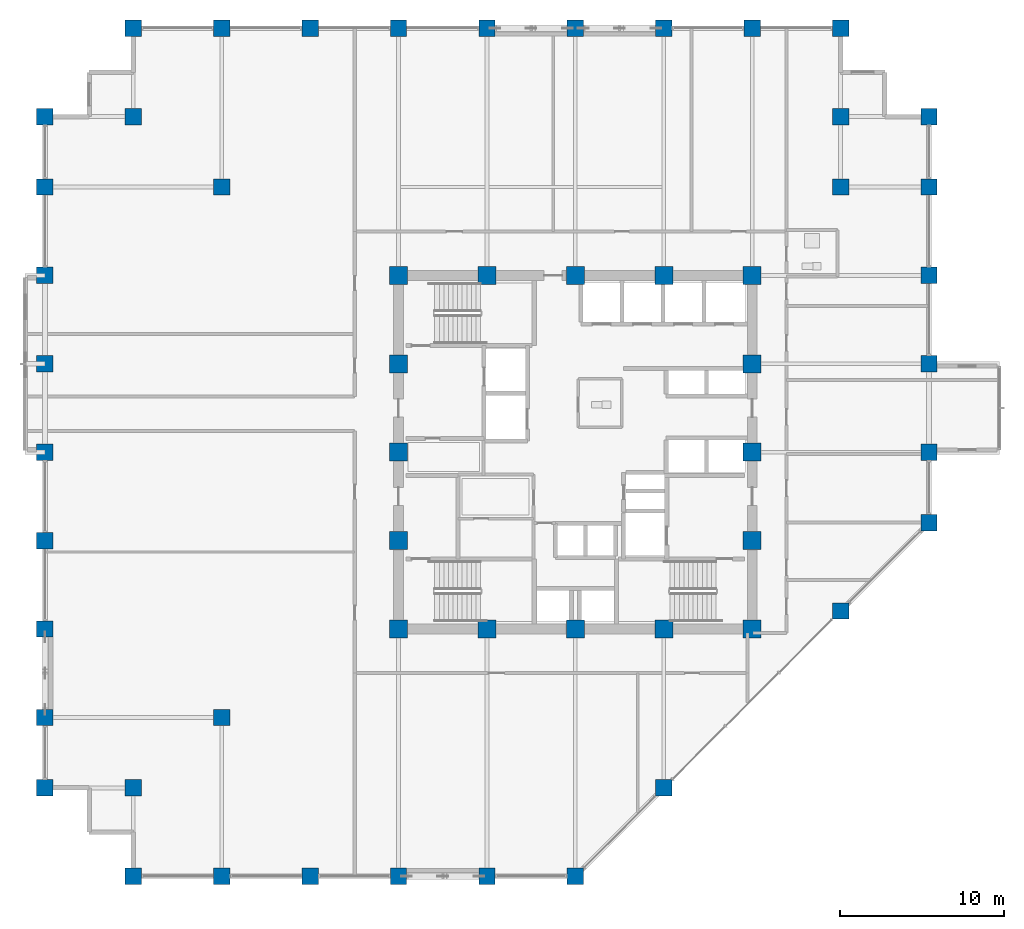
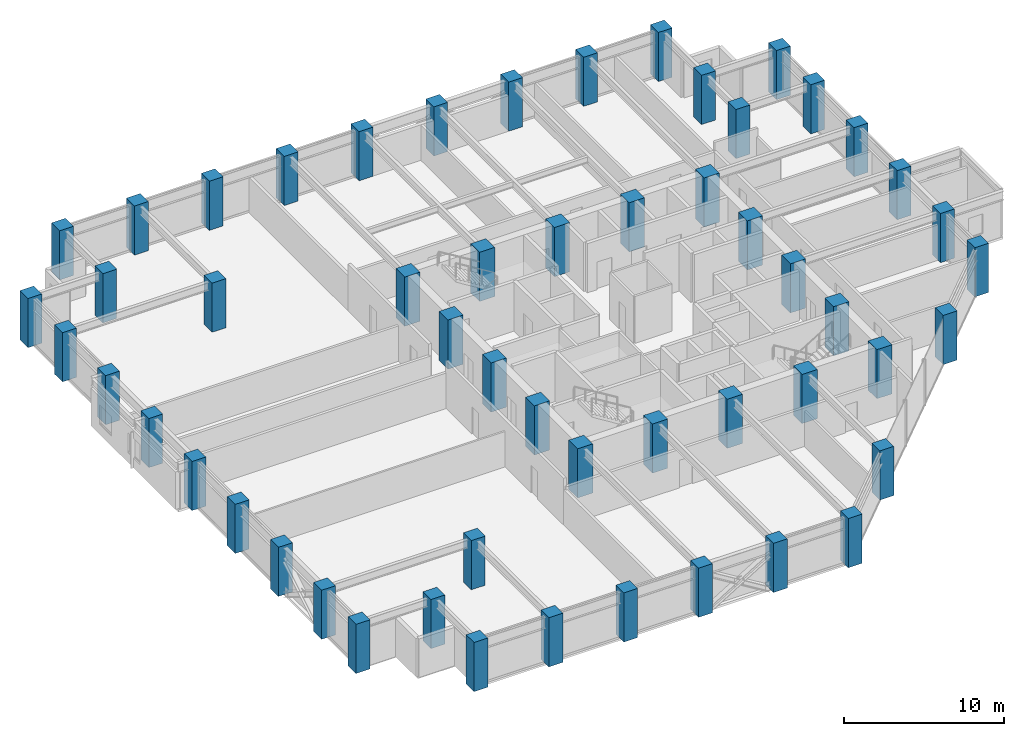
# One storey, part 1 of 26: 54 columns.
"""IFC4 building model written with IfcOpenShell, lengths in metres."""

from ifc_helpers import new_model, si_unit, direction, frame, origin, origin_2d, place, context, subcontext, project, spatial, rectangle, extrude, material, material_profile, profile_set, type_object, element, save


model = new_model("IFC4")

# Units and contexts
model_context = context("Model", 3, precision=1e-05, world=origin(), true_north=direction((0.0, 1.0)))
body_context = subcontext(model_context, "Body", "Model", "MODEL_VIEW")
ifc_project = project(units=[si_unit("LENGTHUNIT", "METRE"), si_unit("AREAUNIT", "SQUARE_METRE"), si_unit("VOLUMEUNIT", "CUBIC_METRE"), si_unit("PLANEANGLEUNIT", "RADIAN"), si_unit("MASSUNIT", "GRAM", prefix="KILO")], contexts=[model_context])

# Site, building, storey
site_placement = place(None, origin())
site = spatial("IfcSite", under=ifc_project, at=site_placement, CompositionType="ELEMENT")
building_placement = place(site_placement, origin())
building = spatial("IfcBuilding", under=site, at=building_placement, Name="Surkhivell Harbour Commons", CompositionType="ELEMENT")
storey_placement = place(building_placement, frame((0.0, 0.0, 147.0)))
storey = spatial("IfcBuildingStorey", under=building, at=storey_placement, Name="L38", CompositionType="ELEMENT", Elevation=147.0)

# Columns
ifc_material = material(Name="Concrete C60/75", Category="concrete")
ifc_material_profile_1 = material_profile(ifc_material, rectangle(XDim=1.10009765625, YDim=1.10009765625, at=origin_2d()), Name="RC-COL-1100x1100")
ifc_profile_set_1 = profile_set([ifc_material_profile_1], Name="Concrete C60/75")
column_type_1 = type_object("IfcColumnType", Name="COL-TUBE-Z2A", PredefinedType="COLUMN", material=ifc_profile_set_1)
for number, where, z_axis, x_axis, name in (
    (1, (-10.800048828125, -10.800048828125, 0.0), (0.0, 0.0, 1.0), (1.0, 0.0, 0.0), "L38 Column CT-2A (-10.8,-10.8)"),
    (2, (-10.800048828125, -5.39990234375, 0.0), (0.0, 0.0, 1.0), (1.0, 0.0, 0.0), "L38 Column CT-2A (-10.8,-5.4)"),
    (3, (-10.800048828125, 0.0, 0.0), (0.0, 0.0, 1.0), (1.0, 0.0, 0.0), "L38 Column CT-2A (-10.8,0.0)"),
    (4, (-10.800048828125, 5.39990234375, 0.0), (0.0, 0.0, 1.0), (1.0, 0.0, 0.0), "L38 Column CT-2A (-10.8,5.4)"),
    (5, (-10.800048828125, 10.800048828125, 0.0), (0.0, 0.0, 1.0), (1.0, 0.0, 0.0), "L38 Column CT-2A (-10.8,10.8)"),
    (6, (-5.39990234375, -10.800048828125, 0.0), (0.0, 0.0, 1.0), (1.0, 0.0, 0.0), "L38 Column CT-2A (-5.4,-10.8)"),
    (7, (-5.39990234375, 10.800048828125, 0.0), (0.0, 0.0, 1.0), (1.0, 0.0, 0.0), "L38 Column CT-2A (-5.4,10.8)"),
    (8, (0.0, -10.800048828125, 0.0), (0.0, 0.0, 1.0), (1.0, 0.0, 0.0), "L38 Column CT-2A (0.0,-10.8)"),
    (9, (0.0, 10.800048828125, 0.0), (0.0, 0.0, 1.0), (1.0, 0.0, 0.0), "L38 Column CT-2A (0.0,10.8)"),
    (10, (5.39990234375, -10.800048828125, 0.0), (0.0, 0.0, 1.0), (1.0, 0.0, 0.0), "L38 Column CT-2A (5.4,-10.8)"),
    (11, (5.39990234375, 10.800048828125, 0.0), (0.0, 0.0, 1.0), (1.0, 0.0, 0.0), "L38 Column CT-2A (5.4,10.8)"),
    (12, (10.800048828125, -10.800048828125, 0.0), (0.0, 0.0, 1.0), (1.0, 0.0, 0.0), "L38 Column CT-2A (10.8,-10.8)"),
    (13, (10.800048828125, -5.39990234375, 0.0), (0.0, 0.0, 1.0), (1.0, 0.0, 0.0), "L38 Column CT-2A (10.8,-5.4)"),
    (14, (10.800048828125, 0.0, 0.0), (0.0, 0.0, 1.0), (1.0, 0.0, 0.0), "L38 Column CT-2A (10.8,0.0)"),
    (15, (10.800048828125, 5.39990234375, 0.0), (0.0, 0.0, 1.0), (1.0, 0.0, 0.0), "L38 Column CT-2A (10.8,5.4)"),
    (16, (10.800048828125, 10.800048828125, 0.0), (0.0, 0.0, 1.0), (1.0, 0.0, 0.0), "L38 Column CT-2A (10.8,10.8)"),
):
    element("IfcColumn", number, at=place(storey_placement, frame(where, z_axis=z_axis, x_axis=x_axis)), inside=storey, type_object=column_type_1, Name=name, PredefinedType="COLUMN", context=body_context, shape_type="SweptSolid", body=[
        extrude(rectangle(XDim=1.10009765625, YDim=1.10009765625, at=origin_2d()), origin(), (0.0, 0.0, 1.0), 3.75),
    ])
ifc_material_profile_2 = material_profile(ifc_material, rectangle(XDim=1.0, YDim=1.0, at=origin_2d()), Name="RC-COL-1000x1000")
ifc_profile_set_2 = profile_set([ifc_material_profile_2], Name="Concrete C60/75")
column_type_2 = type_object("IfcColumnType", Name="COL-TUBE-Z2B", PredefinedType="COLUMN", material=ifc_profile_set_2)
for number, where, z_axis, x_axis, name in (
    (17, (-32.39990234375, -20.5, 0.0), (0.0, 0.0, 1.0), (1.0, 0.0, 0.0), "L38 Column CT-2B (-32.4,-20.5)"),
    (18, (-32.39990234375, -16.199951171875, 0.0), (0.0, 0.0, 1.0), (1.0, 0.0, 0.0), "L38 Column CT-2B (-32.4,-16.2)"),
    (19, (-32.39990234375, -10.800048828125, 0.0), (0.0, 0.0, 1.0), (1.0, 0.0, 0.0), "L38 Column CT-2B (-32.4,-10.8)"),
    (20, (-32.39990234375, -5.39990234375, 0.0), (0.0, 0.0, 1.0), (1.0, 0.0, 0.0), "L38 Column CT-2B (-32.4,-5.4)"),
    (21, (-32.39990234375, 0.0, 0.0), (0.0, 0.0, 1.0), (1.0, 0.0, 0.0), "L38 Column CT-2B (-32.4,0.0)"),
    (22, (-32.39990234375, 5.39990234375, 0.0), (0.0, 0.0, 1.0), (1.0, 0.0, 0.0), "L38 Column CT-2B (-32.4,5.4)"),
    (23, (-32.39990234375, 10.800048828125, 0.0), (0.0, 0.0, 1.0), (1.0, 0.0, 0.0), "L38 Column CT-2B (-32.4,10.8)"),
    (24, (-32.39990234375, 16.199951171875, 0.0), (0.0, 0.0, 1.0), (1.0, 0.0, 0.0), "L38 Column CT-2B (-32.4,16.2)"),
    (25, (-32.39990234375, 20.5, 0.0), (0.0, 0.0, 1.0), (1.0, 0.0, 0.0), "L38 Column CT-2B (-32.4,20.5)"),
    (26, (-27.0, -25.89990234375, 0.0), (0.0, 0.0, 1.0), (1.0, 0.0, 0.0), "L38 Column CT-2B (-27.0,-25.9)"),
    (27, (-27.0, -20.5, 0.0), (0.0, 0.0, 1.0), (1.0, 0.0, 0.0), "L38 Column CT-2B (-27.0,-20.5)"),
    (28, (-27.0, 20.5, 0.0), (0.0, 0.0, 1.0), (1.0, 0.0, 0.0), "L38 Column CT-2B (-27.0,20.5)"),
    (29, (-27.0, 25.89990234375, 0.0), (0.0, 0.0, 1.0), (1.0, 0.0, 0.0), "L38 Column CT-2B (-27.0,25.9)"),
    (30, (-21.60009765625, -25.89990234375, 0.0), (0.0, 0.0, 1.0), (1.0, 0.0, 0.0), "L38 Column CT-2B (-21.6,-25.9)"),
    (31, (-21.60009765625, -16.199951171875, 0.0), (0.0, 0.0, 1.0), (1.0, 0.0, 0.0), "L38 Column CT-2B (-21.6,-16.2)"),
    (32, (-21.60009765625, 16.199951171875, 0.0), (0.0, 0.0, 1.0), (1.0, 0.0, 0.0), "L38 Column CT-2B (-21.6,16.2)"),
    (33, (-21.60009765625, 25.89990234375, 0.0), (0.0, 0.0, 1.0), (1.0, 0.0, 0.0), "L38 Column CT-2B (-21.6,25.9)"),
    (34, (-16.199951171875, -25.89990234375, 0.0), (0.0, 0.0, 1.0), (1.0, 0.0, 0.0), "L38 Column CT-2B (-16.2,-25.9)"),
    (35, (-16.199951171875, 25.89990234375, 0.0), (0.0, 0.0, 1.0), (1.0, 0.0, 0.0), "L38 Column CT-2B (-16.2,25.9)"),
    (36, (-10.800048828125, -25.89990234375, 0.0), (0.0, 0.0, 1.0), (1.0, 0.0, 0.0), "L38 Column CT-2B (-10.8,-25.9)"),
    (37, (-10.800048828125, 25.89990234375, 0.0), (0.0, 0.0, 1.0), (1.0, 0.0, 0.0), "L38 Column CT-2B (-10.8,25.9)"),
    (38, (-5.39990234375, -25.89990234375, 0.0), (0.0, 0.0, 1.0), (1.0, 0.0, 0.0), "L38 Column CT-2B (-5.4,-25.9)"),
    (39, (-5.39990234375, 25.89990234375, 0.0), (0.0, 0.0, 1.0), (1.0, 0.0, 0.0), "L38 Column CT-2B (-5.4,25.9)"),
    (40, (0.0, -25.89990234375, 0.0), (0.0, 0.0, 1.0), (1.0, 0.0, 0.0), "L38 Column CT-2B (-0.0,-25.9)"),
    (41, (0.0, 25.89990234375, 0.0), (0.0, 0.0, 1.0), (1.0, 0.0, 0.0), "L38 Column CT-2B (-0.0,25.9)"),
    (42, (5.39990234375, -20.5, 0.0), (0.0, 0.0, 1.0), (1.0, 0.0, 0.0), "L38 Column CT-2B (5.4,-20.5)"),
    (43, (5.39990234375, 25.89990234375, 0.0), (0.0, 0.0, 1.0), (1.0, 0.0, 0.0), "L38 Column CT-2B (5.4,25.9)"),
    (44, (10.800048828125, 25.89990234375, 0.0), (0.0, 0.0, 1.0), (1.0, 0.0, 0.0), "L38 Column CT-2B (10.8,25.9)"),
    (45, (16.199951171875, -9.699951171875, 0.0), (0.0, 0.0, 1.0), (1.0, 0.0, 0.0), "L38 Column CT-2B (16.2,-9.7)"),
    (46, (16.199951171875, 16.199951171875, 0.0), (0.0, 0.0, 1.0), (1.0, 0.0, 0.0), "L38 Column CT-2B (16.2,16.2)"),
    (47, (16.199951171875, 20.5, 0.0), (0.0, 0.0, 1.0), (1.0, 0.0, 0.0), "L38 Column CT-2B (16.2,20.5)"),
    (48, (16.199951171875, 25.89990234375, 0.0), (0.0, 0.0, 1.0), (1.0, 0.0, 0.0), "L38 Column CT-2B (16.2,25.9)"),
    (49, (21.60009765625, -4.300048828125, 0.0), (0.0, 0.0, 1.0), (1.0, 0.0, 0.0), "L38 Column CT-2B (21.6,-4.3)"),
    (50, (21.60009765625, 0.0, 0.0), (0.0, 0.0, 1.0), (1.0, 0.0, 0.0), "L38 Column CT-2B (21.6,0.0)"),
    (51, (21.60009765625, 5.39990234375, 0.0), (0.0, 0.0, 1.0), (1.0, 0.0, 0.0), "L38 Column CT-2B (21.6,5.4)"),
    (52, (21.60009765625, 10.800048828125, 0.0), (0.0, 0.0, 1.0), (1.0, 0.0, 0.0), "L38 Column CT-2B (21.6,10.8)"),
    (53, (21.60009765625, 16.199951171875, 0.0), (0.0, 0.0, 1.0), (1.0, 0.0, 0.0), "L38 Column CT-2B (21.6,16.2)"),
    (54, (21.60009765625, 20.5, 0.0), (0.0, 0.0, 1.0), (1.0, 0.0, 0.0), "L38 Column CT-2B (21.6,20.5)"),
):
    element("IfcColumn", number, at=place(storey_placement, frame(where, z_axis=z_axis, x_axis=x_axis)), inside=storey, type_object=column_type_2, Name=name, PredefinedType="COLUMN", context=body_context, shape_type="SweptSolid", body=[
        extrude(rectangle(XDim=1.0, YDim=1.0, at=origin_2d()), origin(), (0.0, 0.0, 1.0), 3.75),
    ])

save(model, "model.ifc")
